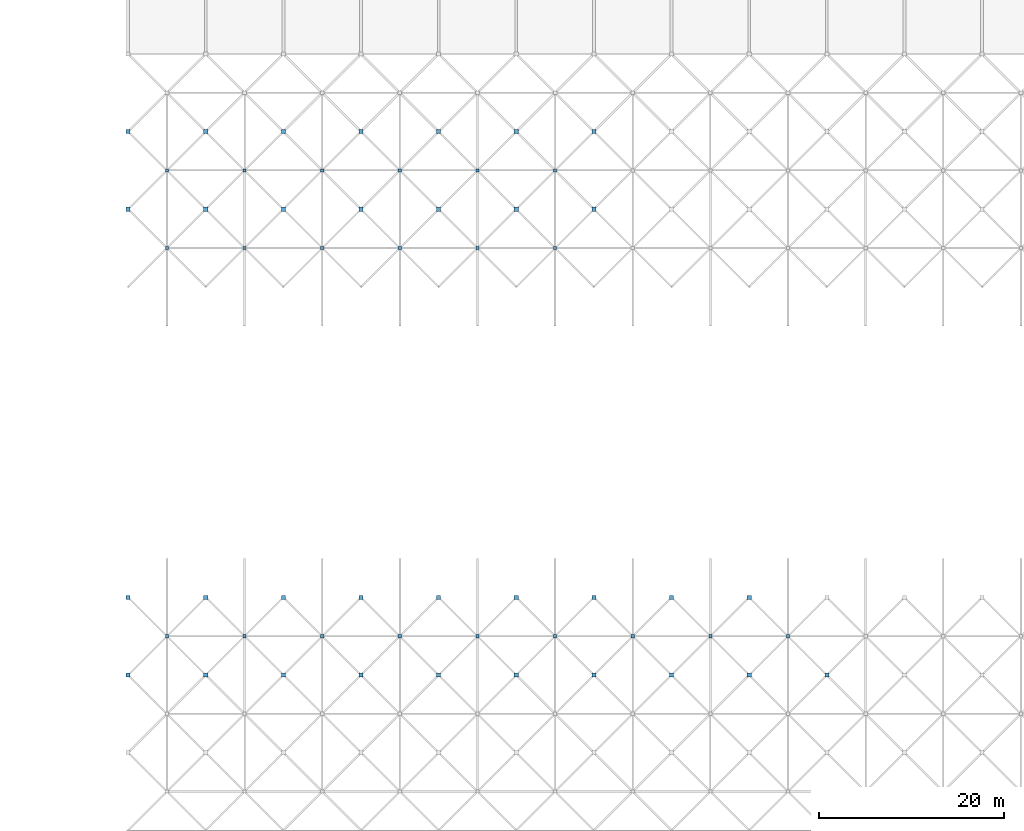
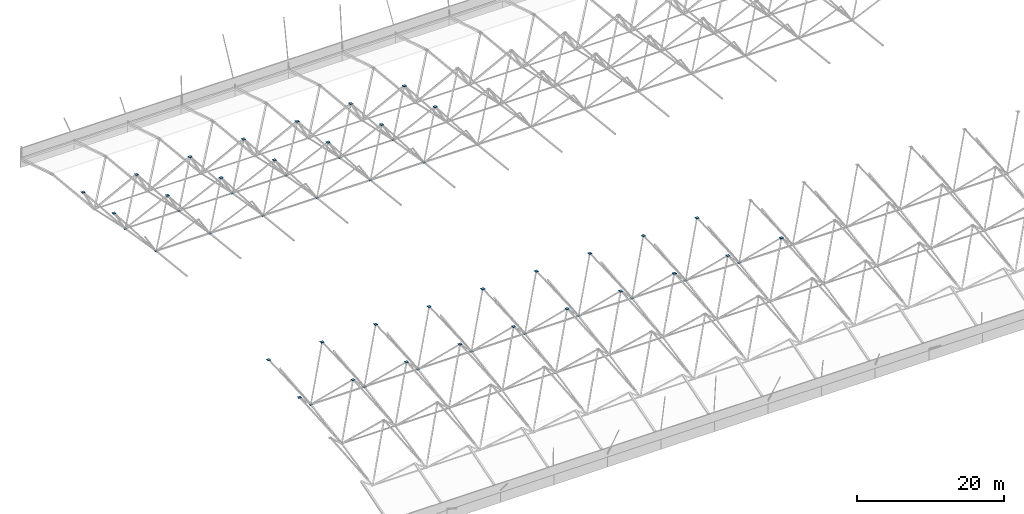
# One storey, part 63 of 85: 54 discrete accessories.
"""IFC4 building model written with IfcOpenShell, lengths in metres."""

from ifc_helpers import new_model, si_unit, direction, frame, origin, origin_2d, place, context, subcontext, project, spatial, rectangle, extrude, material, layer, layer_set, type_object, element, save


model = new_model("IFC4")

# Units and contexts
model_context = context("Model", 3, precision=1e-05, world=origin(), true_north=direction((0.0, 1.0)))
body_context = subcontext(model_context, "Body", "Model", "MODEL_VIEW")
ifc_project = project(units=[si_unit("LENGTHUNIT", "METRE"), si_unit("AREAUNIT", "SQUARE_METRE"), si_unit("VOLUMEUNIT", "CUBIC_METRE"), si_unit("PLANEANGLEUNIT", "RADIAN"), si_unit("MASSUNIT", "GRAM", prefix="KILO")], contexts=[model_context])

# Site, building, storey
site_placement = place(None, origin())
site = spatial("IfcSite", under=ifc_project, at=site_placement, CompositionType="ELEMENT")
building_placement = place(site_placement, origin())
building = spatial("IfcBuilding", under=site, at=building_placement, Name="Rain Tree Exposition and Congress Centre", CompositionType="ELEMENT")
storey_placement = place(building_placement, frame((0.0, 0.0, 15.0)))
storey = spatial("IfcBuildingStorey", under=building, at=storey_placement, Name="L03", CompositionType="ELEMENT", Elevation=15.0)

# Discrete accessories
ifc_material_1 = material(Name="Steel plate S355J2", Category="steel")
ifc_layer_1 = layer(ifc_material_1, 0.02001953125)
ifc_layer_set_1 = layer_set([ifc_layer_1], Name="Steel plate S355J2")
discrete_accessory_type_1 = type_object("IfcDiscreteAccessoryType", Name="Brace node plate 350x350x20", PredefinedType="BRACKET", material=ifc_layer_set_1)
for number, where, z_axis, x_axis, name in (
    (1, (12.60009765625, 130.199951171875, 3.964599609375), (0.0, 0.0, 1.0), (1.0, 0.0, 0.0), "Brace node plate 350"),
    (2, (21.0, 130.199951171875, 3.964599609375), (0.0, 0.0, 1.0), (1.0, 0.0, 0.0), "Brace node plate 350"),
    (3, (29.39990234375, 130.199951171875, 3.964599609375), (0.0, 0.0, 1.0), (1.0, 0.0, 0.0), "Brace node plate 350"),
    (4, (37.800048828125, 130.199951171875, 3.964599609375), (0.0, 0.0, 1.0), (1.0, 0.0, 0.0), "Brace node plate 350"),
    (5, (46.199951171875, 130.199951171875, 3.964599609375), (0.0, 0.0, 1.0), (1.0, 0.0, 0.0), "Brace node plate 350"),
    (6, (54.60009765625, 130.199951171875, 3.964599609375), (0.0, 0.0, 1.0), (1.0, 0.0, 0.0), "Brace node plate 350"),
    (7, (63.0, 130.199951171875, 3.964599609375), (0.0, 0.0, 1.0), (1.0, 0.0, 0.0), "Brace node plate 350"),
    (8, (71.39990234375, 130.199951171875, 3.964599609375), (0.0, 0.0, 1.0), (1.0, 0.0, 0.0), "Brace node plate 350"),
    (9, (79.800048828125, 130.199951171875, 3.964599609375), (0.0, 0.0, 1.0), (1.0, 0.0, 0.0), "Brace node plate 350"),
    (10, (12.60009765625, 172.199951171875, 3.964599609375), (0.0, 0.0, 1.0), (1.0, 0.0, 0.0), "Brace node plate 350"),
    (11, (21.0, 172.199951171875, 3.964599609375), (0.0, 0.0, 1.0), (1.0, 0.0, 0.0), "Brace node plate 350"),
    (12, (29.39990234375, 172.199951171875, 3.964599609375), (0.0, 0.0, 1.0), (1.0, 0.0, 0.0), "Brace node plate 350"),
    (13, (37.800048828125, 172.199951171875, 3.964599609375), (0.0, 0.0, 1.0), (1.0, 0.0, 0.0), "Brace node plate 350"),
    (14, (46.199951171875, 172.199951171875, 3.964599609375), (0.0, 0.0, 1.0), (1.0, 0.0, 0.0), "Brace node plate 350"),
    (15, (54.60009765625, 172.199951171875, 3.964599609375), (0.0, 0.0, 1.0), (1.0, 0.0, 0.0), "Brace node plate 350"),
    (16, (12.60009765625, 180.60009765625, 2.58349609375), (0.0, 0.0, 1.0), (1.0, 0.0, 0.0), "Brace node plate 350"),
    (17, (21.0, 180.60009765625, 2.58349609375), (0.0, 0.0, 1.0), (1.0, 0.0, 0.0), "Brace node plate 350"),
    (18, (29.39990234375, 180.60009765625, 2.58349609375), (0.0, 0.0, 1.0), (1.0, 0.0, 0.0), "Brace node plate 350"),
    (19, (37.800048828125, 180.60009765625, 2.58349609375), (0.0, 0.0, 1.0), (1.0, 0.0, 0.0), "Brace node plate 350"),
    (20, (46.199951171875, 180.60009765625, 2.58349609375), (0.0, 0.0, 1.0), (1.0, 0.0, 0.0), "Brace node plate 350"),
    (21, (54.60009765625, 180.60009765625, 2.58349609375), (0.0, 0.0, 1.0), (1.0, 0.0, 0.0), "Brace node plate 350"),
):
    element("IfcDiscreteAccessory", number, at=place(storey_placement, frame(where, z_axis=z_axis, x_axis=x_axis)), inside=storey, type_object=discrete_accessory_type_1, Name=name, PredefinedType="BRACKET", context=body_context, shape_type="SweptSolid", body=[
        extrude(rectangle(XDim=0.35009765625, YDim=0.35009765625, at=origin_2d()), origin(), (0.0, 0.0, 1.0), 0.02001953125),
    ])
ifc_material_2 = material(Name="Steel plate S355J2", Category="steel")
ifc_layer_2 = layer(ifc_material_2, 0.02001953125)
ifc_layer_set_2 = layer_set([ifc_layer_2], Name="Steel plate S355J2")
discrete_accessory_type_2 = type_object("IfcDiscreteAccessoryType", Name="Brace node plate 450x450x20", PredefinedType="BRACKET", material=ifc_layer_set_2)
for number, where, z_axis, x_axis, name in (
    (22, (8.39990234375, 126.0, 9.18310546875), (0.0, 0.0, 1.0), (1.0, 0.0, 0.0), "Brace node plate 450"),
    (23, (16.800048828125, 126.0, 9.18310546875), (0.0, 0.0, 1.0), (1.0, 0.0, 0.0), "Brace node plate 450"),
    (24, (25.199951171875, 126.0, 9.18310546875), (0.0, 0.0, 1.0), (1.0, 0.0, 0.0), "Brace node plate 450"),
    (25, (33.60009765625, 126.0, 9.18310546875), (0.0, 0.0, 1.0), (1.0, 0.0, 0.0), "Brace node plate 450"),
    (26, (42.0, 126.0, 9.18310546875), (0.0, 0.0, 1.0), (1.0, 0.0, 0.0), "Brace node plate 450"),
    (27, (50.39990234375, 126.0, 9.18310546875), (0.0, 0.0, 1.0), (1.0, 0.0, 0.0), "Brace node plate 450"),
    (28, (58.800048828125, 126.0, 9.18310546875), (0.0, 0.0, 1.0), (1.0, 0.0, 0.0), "Brace node plate 450"),
    (29, (67.199951171875, 126.0, 9.18310546875), (0.0, 0.0, 1.0), (1.0, 0.0, 0.0), "Brace node plate 450"),
    (30, (75.60009765625, 126.0, 9.18310546875), (0.0, 0.0, 1.0), (1.0, 0.0, 0.0), "Brace node plate 450"),
    (31, (84.0, 126.0, 9.18310546875), (0.0, 0.0, 1.0), (1.0, 0.0, 0.0), "Brace node plate 450"),
    (32, (8.39990234375, 134.39990234375, 10.3291015625), (0.0, 0.0, 1.0), (1.0, 0.0, 0.0), "Brace node plate 450"),
    (33, (16.800048828125, 134.39990234375, 10.3291015625), (0.0, 0.0, 1.0), (1.0, 0.0, 0.0), "Brace node plate 450"),
    (34, (25.199951171875, 134.39990234375, 10.3291015625), (0.0, 0.0, 1.0), (1.0, 0.0, 0.0), "Brace node plate 450"),
    (35, (33.60009765625, 134.39990234375, 10.3291015625), (0.0, 0.0, 1.0), (1.0, 0.0, 0.0), "Brace node plate 450"),
    (36, (42.0, 134.39990234375, 10.3291015625), (0.0, 0.0, 1.0), (1.0, 0.0, 0.0), "Brace node plate 450"),
    (37, (50.39990234375, 134.39990234375, 10.3291015625), (0.0, 0.0, 1.0), (1.0, 0.0, 0.0), "Brace node plate 450"),
    (38, (58.800048828125, 134.39990234375, 10.3291015625), (0.0, 0.0, 1.0), (1.0, 0.0, 0.0), "Brace node plate 450"),
    (39, (67.199951171875, 134.39990234375, 10.3291015625), (0.0, 0.0, 1.0), (1.0, 0.0, 0.0), "Brace node plate 450"),
    (40, (75.60009765625, 134.39990234375, 10.3291015625), (0.0, 0.0, 1.0), (1.0, 0.0, 0.0), "Brace node plate 450"),
    (41, (8.39990234375, 176.39990234375, 9.18310546875), (0.0, 0.0, 1.0), (1.0, 0.0, 0.0), "Brace node plate 450"),
    (42, (16.800048828125, 176.39990234375, 9.18310546875), (0.0, 0.0, 1.0), (1.0, 0.0, 0.0), "Brace node plate 450"),
    (43, (25.199951171875, 176.39990234375, 9.18310546875), (0.0, 0.0, 1.0), (1.0, 0.0, 0.0), "Brace node plate 450"),
    (44, (33.60009765625, 176.39990234375, 9.18310546875), (0.0, 0.0, 1.0), (1.0, 0.0, 0.0), "Brace node plate 450"),
    (45, (42.0, 176.39990234375, 9.18310546875), (0.0, 0.0, 1.0), (1.0, 0.0, 0.0), "Brace node plate 450"),
    (46, (50.39990234375, 176.39990234375, 9.18310546875), (0.0, 0.0, 1.0), (1.0, 0.0, 0.0), "Brace node plate 450"),
    (47, (58.800048828125, 176.39990234375, 9.18310546875), (0.0, 0.0, 1.0), (1.0, 0.0, 0.0), "Brace node plate 450"),
    (48, (8.39990234375, 184.800048828125, 7.564208984375), (0.0, 0.0, 1.0), (1.0, 0.0, 0.0), "Brace node plate 450"),
    (49, (16.800048828125, 184.800048828125, 7.564208984375), (0.0, 0.0, 1.0), (1.0, 0.0, 0.0), "Brace node plate 450"),
    (50, (25.199951171875, 184.800048828125, 7.564208984375), (0.0, 0.0, 1.0), (1.0, 0.0, 0.0), "Brace node plate 450"),
    (51, (33.60009765625, 184.800048828125, 7.564208984375), (0.0, 0.0, 1.0), (1.0, 0.0, 0.0), "Brace node plate 450"),
    (52, (42.0, 184.800048828125, 7.564208984375), (0.0, 0.0, 1.0), (1.0, 0.0, 0.0), "Brace node plate 450"),
    (53, (50.39990234375, 184.800048828125, 7.564208984375), (0.0, 0.0, 1.0), (1.0, 0.0, 0.0), "Brace node plate 450"),
    (54, (58.800048828125, 184.800048828125, 7.564208984375), (0.0, 0.0, 1.0), (1.0, 0.0, 0.0), "Brace node plate 450"),
):
    element("IfcDiscreteAccessory", number, at=place(storey_placement, frame(where, z_axis=z_axis, x_axis=x_axis)), inside=storey, type_object=discrete_accessory_type_2, Name=name, PredefinedType="BRACKET", context=body_context, shape_type="SweptSolid", body=[
        extrude(rectangle(XDim=0.449951171875, YDim=0.449951171875, at=origin_2d()), origin(), (0.0, 0.0, 1.0), 0.02001953125),
    ])

save(model, "model.ifc")
